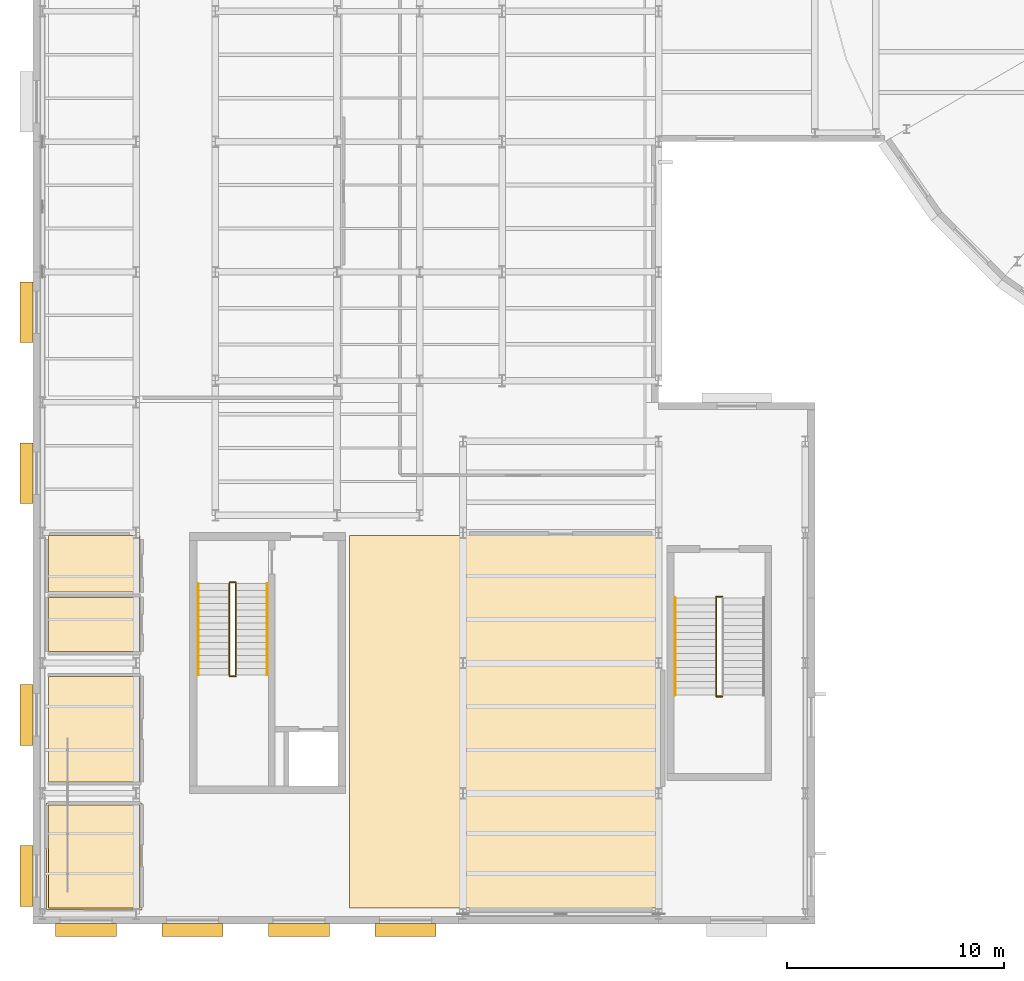
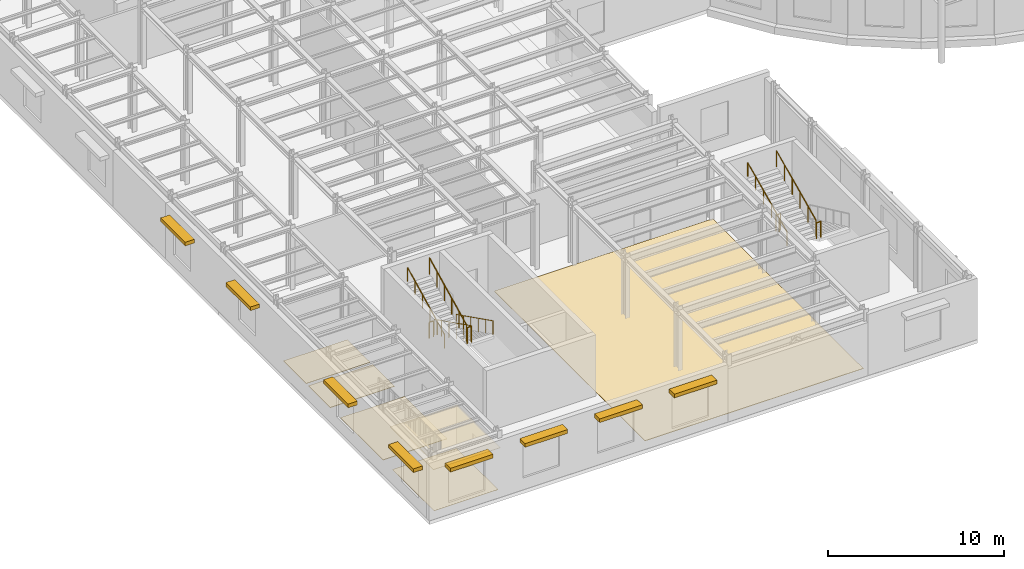
# One storey, part 73 of 91: 10 railings, 8 shading devices, 6 coverings, 2 elements without a shape of their own.
"""IFC4 building model written with IfcOpenShell, lengths in metres."""

from ifc_helpers import new_model, si_unit, direction, frame, origin, origin_2d, place, context, subcontext, project, spatial, polyline, rectangle, circle, outline, extrude, material, layer, layer_set, type_object, element, aggregate, save


model = new_model("IFC4")

# Units and contexts
model_context = context("Model", 3, precision=1e-05, world=origin(), true_north=direction((0.0, 1.0)))
body_context = subcontext(model_context, "Body", "Model", "MODEL_VIEW")
ifc_project = project(units=[si_unit("LENGTHUNIT", "METRE"), si_unit("AREAUNIT", "SQUARE_METRE"), si_unit("VOLUMEUNIT", "CUBIC_METRE"), si_unit("PLANEANGLEUNIT", "RADIAN"), si_unit("MASSUNIT", "GRAM", prefix="KILO")], contexts=[model_context])

# Site, building, storey
site_placement = place(None, origin())
site = spatial("IfcSite", under=ifc_project, at=site_placement, CompositionType="ELEMENT")
building_placement = place(site_placement, origin())
building = spatial("IfcBuilding", under=site, at=building_placement, Name="Kolvaren Corner Interchange", CompositionType="ELEMENT")
storey_placement = place(building_placement, frame((0.0, 0.0, 6.0)))
storey = spatial("IfcBuildingStorey", under=building, at=storey_placement, Name="L02", CompositionType="ELEMENT", Elevation=6.0)

# Coverings
ifc_material_1 = material(Name="Moisture-Resistant Perforated Gypsum Ceiling")
ifc_layer_1 = layer(ifc_material_1, 0.028076171875)
ifc_layer_set_1 = layer_set([ifc_layer_1], Name="Moisture-Resistant Perforated Gypsum Ceiling")
covering_type_1 = type_object("IfcCoveringType", Name="COV-CEIL-GYP28", PredefinedType="CEILING", material=ifc_layer_set_1)
covering_1_placement = place(storey_placement, frame((0.0, 0.0, 2.922119140625)))
element("IfcCovering", 1, at=covering_1_placement, inside=storey, type_object=covering_type_1, Name="L02 Driver Briefing Room Suspended Ceiling", PredefinedType="CEILING", context=body_context, shape_type="SweptSolid", body=[
    extrude(outline(polyline([(0.6298828125, 0.64990234375), (5.035400390625, 0.63720703125), (5.03271484375, 5.5654296875), (0.634521484375, 5.562744140625), (0.6298828125, 0.64990234375)])), origin(), (0.0, 0.0, 1.0), 0.02783203125),
])
ifc_material_2 = material(Name="Acoustic Tufted Modular Office Carpet Tile")
ifc_layer_2 = layer(ifc_material_2, 0.011962890625)
ifc_layer_set_2 = layer_set([ifc_layer_2], Name="Acoustic Tufted Modular Office Carpet Tile")
covering_type_2 = type_object("IfcCoveringType", Name="COV-FLR-CPT12", PredefinedType="FLOORING", material=ifc_layer_set_2)
covering_2_placement = place(storey_placement, origin())
element("IfcCovering", 2, at=covering_2_placement, inside=storey, type_object=covering_type_2, Name="L02 Driver Briefing Room Floor Finish", PredefinedType="FLOORING", context=body_context, shape_type="SweptSolid", body=[
    extrude(outline(polyline([(0.72998046875, 0.72998046875), (4.93994140625, 0.72998046875), (4.93994140625, 5.469970703125), (0.72998046875, 5.469970703125), (0.72998046875, 0.72998046875)])), origin(), (0.0, 0.0, 1.0), 0.011962890625),
])
ifc_material_3 = material(Name="Polished Niger Delta Granite Terrazzo Flooring", Category="masonry")
ifc_layer_3 = layer(ifc_material_3, 0.030029296875)
ifc_layer_set_3 = layer_set([ifc_layer_3], Name="Polished Niger Delta Granite Terrazzo Flooring")
covering_type_3 = type_object("IfcCoveringType", Name="COV-FLR-TER30", PredefinedType="FLOORING", material=ifc_layer_set_3)
covering_3_placement = place(storey_placement, origin())
element("IfcCovering", 3, at=covering_3_placement, inside=storey, type_object=covering_type_3, Name="L02 Canteen Servery and Kitchen Floor Finish", PredefinedType="FLOORING", context=body_context, shape_type="SweptSolid", body=[
    extrude(outline(polyline([(14.580078125, 0.72998046875), (28.919921875, 0.72998046875), (28.919921875, 17.8701171875), (14.580078125, 17.8701171875), (14.580078125, 0.72998046875)])), origin(), (0.0, 0.0, 1.0), 0.030029296875),
])
covering_4_placement = place(storey_placement, origin())
element("IfcCovering", 4, at=covering_4_placement, inside=storey, type_object=covering_type_3, Name="L02 Male WC Floor Finish", PredefinedType="FLOORING", context=body_context, shape_type="SweptSolid", body=[
    extrude(outline(polyline([(0.72998046875, 6.530029296875), (4.93994140625, 6.530029296875), (4.93994140625, 11.3701171875), (0.72998046875, 11.3701171875), (0.72998046875, 6.530029296875)])), origin(), (0.0, 0.0, 1.0), 0.030029296875),
])
covering_5_placement = place(storey_placement, origin())
element("IfcCovering", 5, at=covering_5_placement, inside=storey, type_object=covering_type_3, Name="L02 Female WC Floor Finish", PredefinedType="FLOORING", context=body_context, shape_type="SweptSolid", body=[
    extrude(outline(polyline([(0.72998046875, 12.530029296875), (4.93994140625, 12.530029296875), (4.93994140625, 15.02001953125), (0.72998046875, 15.02001953125), (0.72998046875, 12.530029296875)])), origin(), (0.0, 0.0, 1.0), 0.030029296875),
])
covering_6_placement = place(storey_placement, origin())
element("IfcCovering", 6, at=covering_6_placement, inside=storey, type_object=covering_type_3, Name="L02 Accessible WC Floor Finish", PredefinedType="FLOORING", context=body_context, shape_type="SweptSolid", body=[
    extrude(outline(polyline([(0.72998046875, 15.280029296875), (4.93994140625, 15.280029296875), (4.93994140625, 17.8701171875), (0.72998046875, 17.8701171875), (0.72998046875, 15.280029296875)])), origin(), (0.0, 0.0, 1.0), 0.030029296875),
])

# Railing
ifc_material_4 = material(Name="Powder-Coated Steel Stairwell Guardrail", Category="steel")
railing_type_1 = type_object("IfcRailingType", Name="RLT-STAIR-GRD1120", PredefinedType="GUARDRAIL", material=ifc_material_4)
railing_1_placement = place(storey_placement, frame((9.340087890625, 15.7099609375, 0.0)))
element("IfcRailing", 7, at=railing_1_placement, inside=storey, type_object=railing_type_1, Name="Core C1 Southwest Firefighting Stair L02 Landing Edge Guardrail", PredefinedType="GUARDRAIL", context=body_context, shape_type="SweptSolid", body=[
    extrude(circle(Radius=0.02392578125, at=origin_2d()), frame((0.0, 0.0, 1.09619140625), z_axis=(-1.0, 0.0, 0.0), x_axis=(0.0, -1.0, 0.0)), (0.0, 0.0, 1.0), 0.280029296875),
    extrude(circle(Radius=0.02001953125, at=origin_2d()), origin(), (0.0, 0.0, 1.0), 1.072021484375),
    extrude(circle(Radius=0.02001953125, at=origin_2d()), frame((-0.280029296875, 0.0, 0.0)), (0.0, 0.0, 1.0), 1.072021484375),
])

# Stair, railings
ifc_material_5 = material(Name="Concrete C35/45", Category="concrete")
stair_type_1 = type_object("IfcStairType", Name="ST-FF-1550", PredefinedType="HALF_TURN_STAIR", material=ifc_material_5)
stair_1_placement = place(storey_placement, origin())
stair_1 = element("IfcStair", 8, at=stair_1_placement, inside=storey, type_object=stair_type_1, Name="Core C1 Southwest Firefighting Stair L02 to L03 Stair", PredefinedType="HALF_TURN_STAIR")
railing_2_placement = place(storey_placement, frame((9.35009765625, 15.64990234375, 0.14990234375)))
railing_2 = element("IfcRailing", 9, at=railing_2_placement, type_object=railing_type_1, Name="Core C1 Southwest Firefighting Stair L02 Lower Flight Well Guardrail", PredefinedType="GUARDRAIL", context=body_context, shape_type="SweptSolid", body=[
    extrude(circle(Radius=0.02392578125, at=origin_2d()), frame((0.0, 0.0, 1.09619140625), z_axis=(0.0, -0.894416792377, 0.447234392142), x_axis=(1.0, 0.0, 0.0)), (0.0, 0.0, 1.0), 4.69580078125),
    extrude(circle(Radius=0.02001953125, at=origin_2d()), origin(), (0.0, 0.0, 1.0), 1.072021484375),
    extrude(circle(Radius=0.02001953125, at=origin_2d()), frame((0.0, -0.840087890625, 0.419921875)), (0.0, 0.0, 1.0), 1.072021484375),
    extrude(circle(Radius=0.02001953125, at=origin_2d()), frame((0.0, -1.679931640625, 0.840087890625)), (0.0, 0.0, 1.0), 1.072021484375),
    extrude(circle(Radius=0.02001953125, at=origin_2d()), frame((0.0, -2.52001953125, 1.260009765625)), (0.0, 0.0, 1.0), 1.072021484375),
    extrude(circle(Radius=0.02001953125, at=origin_2d()), frame((0.0, -3.35986328125, 1.68017578125)), (0.0, 0.0, 1.0), 1.072021484375),
    extrude(circle(Radius=0.02001953125, at=origin_2d()), frame((0.0, -4.199951171875, 2.10009765625)), (0.0, 0.0, 1.0), 1.072021484375),
])
railing_3_placement = place(storey_placement, frame((9.340087890625, 11.389892578125, 2.25)))
railing_3 = element("IfcRailing", 10, at=railing_3_placement, type_object=railing_type_1, Name="Core C1 Southwest Firefighting Stair L02 Half Landing Well Guardrail", PredefinedType="GUARDRAIL", context=body_context, shape_type="SweptSolid", body=[
    extrude(circle(Radius=0.02392578125, at=origin_2d()), frame((0.0, 0.0, 1.09619140625), z_axis=(-1.0, 0.0, 0.0), x_axis=(0.0, -1.0, 0.0)), (0.0, 0.0, 1.0), 0.280029296875),
    extrude(circle(Radius=0.02001953125, at=origin_2d()), origin(), (0.0, 0.0, 1.0), 1.072021484375),
    extrude(circle(Radius=0.02001953125, at=origin_2d()), frame((-0.280029296875, 0.0, 0.0)), (0.0, 0.0, 1.0), 1.072021484375),
])
railing_4_placement = place(storey_placement, frame((9.050048828125, 11.449951171875, 2.39990234375)))
railing_4 = element("IfcRailing", 11, at=railing_4_placement, type_object=railing_type_1, Name="Core C1 Southwest Firefighting Stair L02 Upper Flight Well Guardrail", PredefinedType="GUARDRAIL", context=body_context, shape_type="SweptSolid", body=[
    extrude(circle(Radius=0.02392578125, at=origin_2d()), frame((0.0, 0.0, 1.09619140625), z_axis=(0.0, 0.894416792377, 0.447234392142), x_axis=(-1.0, 0.0, 0.0)), (0.0, 0.0, 1.0), 4.69580078125),
    extrude(circle(Radius=0.02001953125, at=origin_2d()), origin(), (0.0, 0.0, 1.0), 1.072021484375),
    extrude(circle(Radius=0.02001953125, at=origin_2d()), frame((0.0, 0.840087890625, 0.419921875)), (0.0, 0.0, 1.0), 1.072021484375),
    extrude(circle(Radius=0.02001953125, at=origin_2d()), frame((0.0, 1.679931640625, 0.840087890625)), (0.0, 0.0, 1.0), 1.072021484375),
    extrude(circle(Radius=0.02001953125, at=origin_2d()), frame((0.0, 2.52001953125, 1.260009765625)), (0.0, 0.0, 1.0), 1.072021484375),
    extrude(circle(Radius=0.02001953125, at=origin_2d()), frame((0.0, 3.35986328125, 1.68017578125)), (0.0, 0.0, 1.0), 1.072021484375),
    extrude(circle(Radius=0.02001953125, at=origin_2d()), frame((0.0, 4.199951171875, 2.10009765625)), (0.0, 0.0, 1.0), 1.072021484375),
])

# Railing
railing_5_placement = place(storey_placement, frame((31.739990234375, 15.06005859375, 0.0)))
element("IfcRailing", 12, at=railing_5_placement, inside=storey, type_object=railing_type_1, Name="Operations South Bar Protected Exit Stair L02 Landing Edge Guardrail", PredefinedType="GUARDRAIL", context=body_context, shape_type="SweptSolid", body=[
    extrude(circle(Radius=0.02392578125, at=origin_2d()), frame((0.0, 0.0, 1.09619140625), z_axis=(-1.0, 0.0, 0.0), x_axis=(0.0, -1.0, 0.0)), (0.0, 0.0, 1.0), 0.280029296875),
    extrude(circle(Radius=0.02001953125, at=origin_2d()), origin(), (0.0, 0.0, 1.0), 1.072021484375),
    extrude(circle(Radius=0.02001953125, at=origin_2d()), frame((-0.280029296875, 0.0, 0.0)), (0.0, 0.0, 1.0), 1.072021484375),
])

# Stair, railings
ifc_material_6 = material(Name="Concrete C35/45", Category="concrete")
stair_type_2 = type_object("IfcStairType", Name="ST-GL-2000", PredefinedType="HALF_TURN_STAIR", material=ifc_material_6)
stair_2_placement = place(storey_placement, origin())
stair_2 = element("IfcStair", 13, at=stair_2_placement, inside=storey, type_object=stair_type_2, Name="Operations South Bar Protected Exit Stair L02 to L03 Stair", PredefinedType="HALF_TURN_STAIR")
railing_6_placement = place(storey_placement, frame((31.739990234375, 10.4599609375, 2.25)))
railing_6 = element("IfcRailing", 14, at=railing_6_placement, type_object=railing_type_1, Name="Operations South Bar Protected Exit Stair L02 Half Landing Well Guardrail", PredefinedType="GUARDRAIL", context=body_context, shape_type="SweptSolid", body=[
    extrude(circle(Radius=0.02392578125, at=origin_2d()), frame((0.0, 0.0, 1.09619140625), z_axis=(-1.0, 0.0, 0.0), x_axis=(0.0, -1.0, 0.0)), (0.0, 0.0, 1.0), 0.280029296875),
    extrude(circle(Radius=0.02001953125, at=origin_2d()), origin(), (0.0, 0.0, 1.0), 1.072021484375),
    extrude(circle(Radius=0.02001953125, at=origin_2d()), frame((-0.280029296875, 0.0, 0.0)), (0.0, 0.0, 1.0), 1.072021484375),
])
railing_7_placement = place(storey_placement, frame((31.449951171875, 10.52001953125, 2.39990234375)))
railing_7 = element("IfcRailing", 15, at=railing_7_placement, type_object=railing_type_1, Name="Operations South Bar Protected Exit Stair L02 Upper Flight Well Guardrail", PredefinedType="GUARDRAIL", context=body_context, shape_type="SweptSolid", body=[
    extrude(circle(Radius=0.02392578125, at=origin_2d()), frame((0.0, 0.0, 1.09619140625), z_axis=(0.0, 0.905450639465, 0.424451574969), x_axis=(-1.0, 0.0, 0.0)), (0.0, 0.0, 1.0), 4.94775390625),
    extrude(circle(Radius=0.02001953125, at=origin_2d()), origin(), (0.0, 0.0, 1.0), 1.072021484375),
    extrude(circle(Radius=0.02001953125, at=origin_2d()), frame((0.0, 0.89599609375, 0.419921875)), (0.0, 0.0, 1.0), 1.072021484375),
    extrude(circle(Radius=0.02001953125, at=origin_2d()), frame((0.0, 1.7919921875, 0.840087890625)), (0.0, 0.0, 1.0), 1.072021484375),
    extrude(circle(Radius=0.02001953125, at=origin_2d()), frame((0.0, 2.68798828125, 1.260009765625)), (0.0, 0.0, 1.0), 1.072021484375),
    extrude(circle(Radius=0.02001953125, at=origin_2d()), frame((0.0, 3.583984375, 1.68017578125)), (0.0, 0.0, 1.0), 1.072021484375),
    extrude(circle(Radius=0.02001953125, at=origin_2d()), frame((0.0, 4.47998046875, 2.10009765625)), (0.0, 0.0, 1.0), 1.072021484375),
])

# Railing
ifc_material_7 = material(Name="Brushed Stainless Steel Stair Handrail", Category="steel")
railing_type_2 = type_object("IfcRailingType", Name="RLT-STAIR-HR950", PredefinedType="HANDRAIL", material=ifc_material_7)
railing_8_placement = place(storey_placement, frame((10.7900390625, 15.64990234375, 0.14990234375)))
railing_8 = element("IfcRailing", 16, at=railing_8_placement, type_object=railing_type_2, Name="Core C1 Southwest Firefighting Stair L02 Lower Flight Wall Handrail", PredefinedType="HANDRAIL", context=body_context, shape_type="SweptSolid", body=[
    extrude(circle(Radius=0.02197265625, at=origin_2d()), frame((0.0, 0.0, 0.927978515625), z_axis=(0.0, -0.894416792377, 0.447234392142), x_axis=(1.0, 0.0, 0.0)), (0.0, 0.0, 1.0), 4.69580078125),
    extrude(circle(Radius=0.01806640625, at=origin_2d()), origin(), (0.0, 0.0, 1.0), 0.906005859375),
    extrude(circle(Radius=0.01806640625, at=origin_2d()), frame((0.0, -0.840087890625, 0.419921875)), (0.0, 0.0, 1.0), 0.906005859375),
    extrude(circle(Radius=0.01806640625, at=origin_2d()), frame((0.0, -1.679931640625, 0.840087890625)), (0.0, 0.0, 1.0), 0.906005859375),
    extrude(circle(Radius=0.01806640625, at=origin_2d()), frame((0.0, -2.52001953125, 1.260009765625)), (0.0, 0.0, 1.0), 0.906005859375),
    extrude(circle(Radius=0.01806640625, at=origin_2d()), frame((0.0, -3.35986328125, 1.68017578125)), (0.0, 0.0, 1.0), 0.906005859375),
    extrude(circle(Radius=0.01806640625, at=origin_2d()), frame((0.0, -4.199951171875, 2.10009765625)), (0.0, 0.0, 1.0), 0.906005859375),
])

railing_9_placement = place(storey_placement, frame((7.610107421875, 11.449951171875, 2.39990234375)))
railing_9 = element("IfcRailing", 17, at=railing_9_placement, type_object=railing_type_2, Name="Core C1 Southwest Firefighting Stair L02 Upper Flight Wall Handrail", PredefinedType="HANDRAIL", context=body_context, shape_type="SweptSolid", body=[
    extrude(circle(Radius=0.02197265625, at=origin_2d()), frame((0.0, 0.0, 0.927978515625), z_axis=(0.0, 0.894416792377, 0.447234392142), x_axis=(-1.0, 0.0, 0.0)), (0.0, 0.0, 1.0), 4.69580078125),
    extrude(circle(Radius=0.01806640625, at=origin_2d()), origin(), (0.0, 0.0, 1.0), 0.906005859375),
    extrude(circle(Radius=0.01806640625, at=origin_2d()), frame((0.0, 0.840087890625, 0.419921875)), (0.0, 0.0, 1.0), 0.906005859375),
    extrude(circle(Radius=0.01806640625, at=origin_2d()), frame((0.0, 1.679931640625, 0.840087890625)), (0.0, 0.0, 1.0), 0.906005859375),
    extrude(circle(Radius=0.01806640625, at=origin_2d()), frame((0.0, 2.52001953125, 1.260009765625)), (0.0, 0.0, 1.0), 0.906005859375),
    extrude(circle(Radius=0.01806640625, at=origin_2d()), frame((0.0, 3.35986328125, 1.68017578125)), (0.0, 0.0, 1.0), 0.906005859375),
    extrude(circle(Radius=0.01806640625, at=origin_2d()), frame((0.0, 4.199951171875, 2.10009765625)), (0.0, 0.0, 1.0), 0.906005859375),
])

aggregate(stair_1, [railing_2, railing_3, railing_4, railing_8, railing_9])

railing_10_placement = place(storey_placement, frame((29.56005859375, 10.52001953125, 2.39990234375)))
railing_10 = element("IfcRailing", 18, at=railing_10_placement, type_object=railing_type_2, Name="Operations South Bar Protected Exit Stair L02 Upper Flight Wall Handrail", PredefinedType="HANDRAIL", context=body_context, shape_type="SweptSolid", body=[
    extrude(circle(Radius=0.02197265625, at=origin_2d()), frame((0.0, 0.0, 0.927978515625), z_axis=(0.0, 0.905450639465, 0.424451574969), x_axis=(-1.0, 0.0, 0.0)), (0.0, 0.0, 1.0), 4.94775390625),
    extrude(circle(Radius=0.01806640625, at=origin_2d()), origin(), (0.0, 0.0, 1.0), 0.906005859375),
    extrude(circle(Radius=0.01806640625, at=origin_2d()), frame((0.0, 0.89599609375, 0.419921875)), (0.0, 0.0, 1.0), 0.906005859375),
    extrude(circle(Radius=0.01806640625, at=origin_2d()), frame((0.0, 1.7919921875, 0.840087890625)), (0.0, 0.0, 1.0), 0.906005859375),
    extrude(circle(Radius=0.01806640625, at=origin_2d()), frame((0.0, 2.68798828125, 1.260009765625)), (0.0, 0.0, 1.0), 0.906005859375),
    extrude(circle(Radius=0.01806640625, at=origin_2d()), frame((0.0, 3.583984375, 1.68017578125)), (0.0, 0.0, 1.0), 0.906005859375),
    extrude(circle(Radius=0.01806640625, at=origin_2d()), frame((0.0, 4.47998046875, 2.10009765625)), (0.0, 0.0, 1.0), 0.906005859375),
])

aggregate(stair_2, [railing_6, railing_7, railing_10])

# Shading devices
ifc_material_8 = material(Name="Cream Ceramic Baguette Brise-Soleil")
shading_device_type = type_object("IfcShadingDeviceType", Name="SHD-BAG-H600", PredefinedType="JALOUSIE", material=ifc_material_8)
for number, where, z_axis, x_axis, name in (
    (19, (2.449951171875, -0.280029296875, 3.3798828125), (0.0, 0.0, 1.0), (1.0, 0.0, 0.0), "L02 Ceramic Solar Shading 0028"),
    (20, (7.35009765625, -0.280029296875, 3.3798828125), (0.0, 0.0, 1.0), (1.0, 0.0, 0.0), "L02 Ceramic Solar Shading 0029"),
    (21, (12.25, -0.280029296875, 3.3798828125), (0.0, 0.0, 1.0), (1.0, 0.0, 0.0), "L02 Ceramic Solar Shading 0030"),
    (22, (17.14990234375, -0.280029296875, 3.3798828125), (0.0, 0.0, 1.0), (1.0, 0.0, 0.0), "L02 Ceramic Solar Shading 0031"),
    (23, (-0.2900390625, 28.146484375, 3.080078125), (0.0, 0.0, 1.0), (0.0, -1.0, 0.0), "L02 Ceramic Solar Shading 0053"),
    (24, (-0.2900390625, 20.73291015625, 3.080078125), (0.0, 0.0, 1.0), (0.0, -1.0, 0.0), "L02 Ceramic Solar Shading 0054"),
    (25, (-0.2900390625, 9.6123046875, 3.080078125), (0.0, 0.0, 1.0), (0.0, -1.0, 0.0), "L02 Ceramic Solar Shading 0055"),
    (26, (-0.2900390625, 2.198486328125, 3.080078125), (0.0, 0.0, 1.0), (0.0, -1.0, 0.0), "L02 Ceramic Solar Shading 0056"),
):
    element("IfcShadingDevice", number, at=place(storey_placement, frame(where, z_axis=z_axis, x_axis=x_axis)), inside=storey, type_object=shading_device_type, Name=name, PredefinedType="JALOUSIE", context=body_context, shape_type="SweptSolid", body=[
        extrude(rectangle(XDim=2.800048828125, YDim=0.60009765625, at=origin_2d()), origin(), (0.0, 0.0, 1.0), 0.260009765625),
    ])

save(model, "model.ifc")
